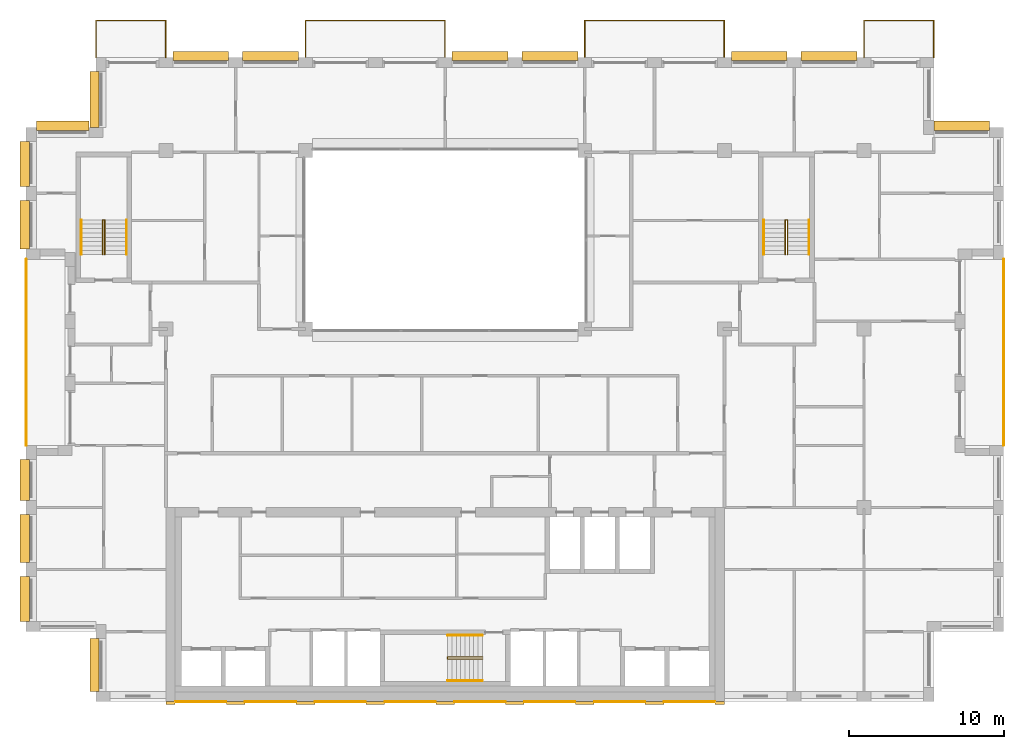
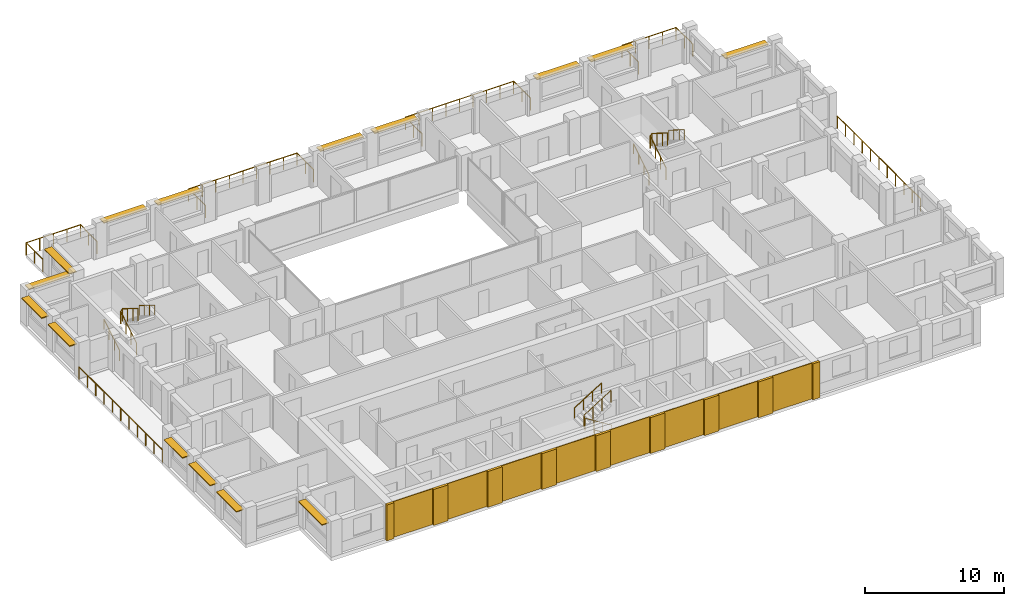
# One storey, part 15 of 15: 17 coverings, 15 railings, 15 shading devices.
"""IFC4 building model written with IfcOpenShell, lengths in metres."""

from ifc_helpers import new_model, si_unit, direction, frame, origin, origin_2d, place, context, subcontext, project, spatial, rectangle, circle, extrude, material, layer, layer_set, type_object, element, save


model = new_model("IFC4")

# Units and contexts
model_context = context("Model", 3, precision=1e-05, world=origin(), true_north=direction((0.0, 1.0)))
body_context = subcontext(model_context, "Body", "Model", "MODEL_VIEW")
ifc_project = project(units=[si_unit("LENGTHUNIT", "METRE"), si_unit("AREAUNIT", "SQUARE_METRE"), si_unit("VOLUMEUNIT", "CUBIC_METRE"), si_unit("PLANEANGLEUNIT", "RADIAN"), si_unit("MASSUNIT", "GRAM", prefix="KILO")], contexts=[model_context])

# Site, building, storey
site_placement = place(None, origin())
site = spatial("IfcSite", under=ifc_project, at=site_placement, CompositionType="ELEMENT")
building_placement = place(site_placement, origin())
building = spatial("IfcBuilding", under=site, at=building_placement, Name="Brigalow Station Residences", CompositionType="ELEMENT")
storey_placement = place(building_placement, frame((0.0, 0.0, 229.5)))
storey = spatial("IfcBuildingStorey", under=building, at=storey_placement, Name="L66", CompositionType="ELEMENT", Elevation=229.5)

# Railings
ifc_material_1 = material(Name="Stainless steel balustrade with laminated glass infill", Category="steel")
railing_type_1 = type_object("IfcRailingType", Name="BALCONY GUARD 1100", PredefinedType="GUARDRAIL", material=ifc_material_1)
railing_1_placement = place(storey_placement, frame((72.0, 16.5, -0.0400390625)))
element("IfcRailing", 1, at=railing_1_placement, inside=storey, type_object=railing_type_1, Name="L66/balcony-guard/1", PredefinedType="GUARDRAIL", context=body_context, shape_type="SweptSolid", body=[
    extrude(circle(Radius=0.02392578125, at=origin_2d()), frame((0.0, 0.0, 1.076171875), z_axis=(0.0, 1.0, 0.0), x_axis=(-1.0, 0.0, 0.0)), (0.0, 0.0, 1.0), 12.0),
    extrude(circle(Radius=0.02099609375, at=origin_2d()), origin(), (0.0, 0.0, 1.0), 1.052001953125),
    extrude(circle(Radius=0.02099609375, at=origin_2d()), frame((0.0, 1.199951171875, 0.0)), (0.0, 0.0, 1.0), 1.052001953125),
    extrude(circle(Radius=0.02099609375, at=origin_2d()), frame((0.0, 2.39990234375, 0.0)), (0.0, 0.0, 1.0), 1.052001953125),
    extrude(circle(Radius=0.02099609375, at=origin_2d()), frame((0.0, 3.60009765625, 0.0)), (0.0, 0.0, 1.0), 1.052001953125),
    extrude(circle(Radius=0.02099609375, at=origin_2d()), frame((0.0, 4.800048828125, 0.0)), (0.0, 0.0, 1.0), 1.052001953125),
    extrude(circle(Radius=0.02099609375, at=origin_2d()), frame((0.0, 6.0, 0.0)), (0.0, 0.0, 1.0), 1.052001953125),
    extrude(circle(Radius=0.02099609375, at=origin_2d()), frame((0.0, 7.199951171875, 0.0)), (0.0, 0.0, 1.0), 1.052001953125),
    extrude(circle(Radius=0.02099609375, at=origin_2d()), frame((0.0, 8.39990234375, 0.0)), (0.0, 0.0, 1.0), 1.052001953125),
    extrude(circle(Radius=0.02099609375, at=origin_2d()), frame((0.0, 9.60009765625, 0.0)), (0.0, 0.0, 1.0), 1.052001953125),
    extrude(circle(Radius=0.02099609375, at=origin_2d()), frame((0.0, 10.800048828125, 0.0)), (0.0, 0.0, 1.0), 1.052001953125),
    extrude(circle(Radius=0.02099609375, at=origin_2d()), frame((0.0, 12.0, 0.0)), (0.0, 0.0, 1.0), 1.052001953125),
])
railing_2_placement = place(storey_placement, frame((67.5, 41.5, -0.0400390625)))
element("IfcRailing", 2, at=railing_2_placement, inside=storey, type_object=railing_type_1, Name="L66/balcony-guard/2", PredefinedType="GUARDRAIL", context=body_context, shape_type="SweptSolid", body=[
    extrude(circle(Radius=0.02392578125, at=origin_2d()), frame((0.0, 0.0, 1.076171875), z_axis=(0.0, 1.0, 0.0), x_axis=(-1.0, 0.0, 0.0)), (0.0, 0.0, 1.0), 2.39990234375),
    extrude(circle(Radius=0.02392578125, at=origin_2d()), frame((0.0, 2.39990234375, 1.076171875), z_axis=(-1.0, 0.0, 0.0), x_axis=(0.0, -1.0, 0.0)), (0.0, 0.0, 1.0), 4.5),
    extrude(circle(Radius=0.02392578125, at=origin_2d()), frame((-4.5, 2.39990234375, 1.076171875), z_axis=(0.0, -1.0, 0.0), x_axis=(1.0, 0.0, 0.0)), (0.0, 0.0, 1.0), 2.39990234375),
    extrude(circle(Radius=0.02099609375, at=origin_2d()), origin(), (0.0, 0.0, 1.0), 1.052001953125),
    extrude(circle(Radius=0.02099609375, at=origin_2d()), frame((0.0, 1.199951171875, 0.0)), (0.0, 0.0, 1.0), 1.052001953125),
    extrude(circle(Radius=0.02099609375, at=origin_2d()), frame((0.0, 2.39990234375, 0.0)), (0.0, 0.0, 1.0), 1.052001953125),
    extrude(circle(Radius=0.02099609375, at=origin_2d()), frame((-1.125, 2.39990234375, 0.0)), (0.0, 0.0, 1.0), 1.052001953125),
    extrude(circle(Radius=0.02099609375, at=origin_2d()), frame((-2.25, 2.39990234375, 0.0)), (0.0, 0.0, 1.0), 1.052001953125),
    extrude(circle(Radius=0.02099609375, at=origin_2d()), frame((-3.375, 2.39990234375, 0.0)), (0.0, 0.0, 1.0), 1.052001953125),
    extrude(circle(Radius=0.02099609375, at=origin_2d()), frame((-4.5, 2.39990234375, 0.0)), (0.0, 0.0, 1.0), 1.052001953125),
    extrude(circle(Radius=0.02099609375, at=origin_2d()), frame((-4.5, 1.199951171875, 0.0)), (0.0, 0.0, 1.0), 1.052001953125),
    extrude(circle(Radius=0.02099609375, at=origin_2d()), frame((-4.5, 0.0, 0.0)), (0.0, 0.0, 1.0), 1.052001953125),
])
railing_3_placement = place(storey_placement, frame((54.0, 41.5, -0.0400390625)))
element("IfcRailing", 3, at=railing_3_placement, inside=storey, type_object=railing_type_1, Name="L66/balcony-guard/3", PredefinedType="GUARDRAIL", context=body_context, shape_type="SweptSolid", body=[
    extrude(circle(Radius=0.02392578125, at=origin_2d()), frame((0.0, 0.0, 1.076171875), z_axis=(0.0, 1.0, 0.0), x_axis=(-1.0, 0.0, 0.0)), (0.0, 0.0, 1.0), 2.39990234375),
    extrude(circle(Radius=0.02392578125, at=origin_2d()), frame((0.0, 2.39990234375, 1.076171875), z_axis=(-1.0, 0.0, 0.0), x_axis=(0.0, -1.0, 0.0)), (0.0, 0.0, 1.0), 9.0),
    extrude(circle(Radius=0.02392578125, at=origin_2d()), frame((-9.0, 2.39990234375, 1.076171875), z_axis=(0.0, -1.0, 0.0), x_axis=(1.0, 0.0, 0.0)), (0.0, 0.0, 1.0), 2.39990234375),
    extrude(circle(Radius=0.02099609375, at=origin_2d()), origin(), (0.0, 0.0, 1.0), 1.052001953125),
    extrude(circle(Radius=0.02099609375, at=origin_2d()), frame((0.0, 1.199951171875, 0.0)), (0.0, 0.0, 1.0), 1.052001953125),
    extrude(circle(Radius=0.02099609375, at=origin_2d()), frame((0.0, 2.39990234375, 0.0)), (0.0, 0.0, 1.0), 1.052001953125),
    extrude(circle(Radius=0.02099609375, at=origin_2d()), frame((-1.125, 2.39990234375, 0.0)), (0.0, 0.0, 1.0), 1.052001953125),
    extrude(circle(Radius=0.02099609375, at=origin_2d()), frame((-2.25, 2.39990234375, 0.0)), (0.0, 0.0, 1.0), 1.052001953125),
    extrude(circle(Radius=0.02099609375, at=origin_2d()), frame((-3.375, 2.39990234375, 0.0)), (0.0, 0.0, 1.0), 1.052001953125),
    extrude(circle(Radius=0.02099609375, at=origin_2d()), frame((-4.5, 2.39990234375, 0.0)), (0.0, 0.0, 1.0), 1.052001953125),
    extrude(circle(Radius=0.02099609375, at=origin_2d()), frame((-5.625, 2.39990234375, 0.0)), (0.0, 0.0, 1.0), 1.052001953125),
    extrude(circle(Radius=0.02099609375, at=origin_2d()), frame((-6.75, 2.39990234375, 0.0)), (0.0, 0.0, 1.0), 1.052001953125),
    extrude(circle(Radius=0.02099609375, at=origin_2d()), frame((-7.875, 2.39990234375, 0.0)), (0.0, 0.0, 1.0), 1.052001953125),
    extrude(circle(Radius=0.02099609375, at=origin_2d()), frame((-9.0, 2.39990234375, 0.0)), (0.0, 0.0, 1.0), 1.052001953125),
    extrude(circle(Radius=0.02099609375, at=origin_2d()), frame((-9.0, 1.199951171875, 0.0)), (0.0, 0.0, 1.0), 1.052001953125),
    extrude(circle(Radius=0.02099609375, at=origin_2d()), frame((-9.0, 0.0, 0.0)), (0.0, 0.0, 1.0), 1.052001953125),
])
railing_4_placement = place(storey_placement, frame((36.0, 41.5, -0.0400390625)))
element("IfcRailing", 4, at=railing_4_placement, inside=storey, type_object=railing_type_1, Name="L66/balcony-guard/4", PredefinedType="GUARDRAIL", context=body_context, shape_type="SweptSolid", body=[
    extrude(circle(Radius=0.02392578125, at=origin_2d()), frame((0.0, 0.0, 1.076171875), z_axis=(0.0, 1.0, 0.0), x_axis=(-1.0, 0.0, 0.0)), (0.0, 0.0, 1.0), 2.39990234375),
    extrude(circle(Radius=0.02392578125, at=origin_2d()), frame((0.0, 2.39990234375, 1.076171875), z_axis=(-1.0, 0.0, 0.0), x_axis=(0.0, -1.0, 0.0)), (0.0, 0.0, 1.0), 9.0),
    extrude(circle(Radius=0.02392578125, at=origin_2d()), frame((-9.0, 2.39990234375, 1.076171875), z_axis=(0.0, -1.0, 0.0), x_axis=(1.0, 0.0, 0.0)), (0.0, 0.0, 1.0), 2.39990234375),
    extrude(circle(Radius=0.02099609375, at=origin_2d()), origin(), (0.0, 0.0, 1.0), 1.052001953125),
    extrude(circle(Radius=0.02099609375, at=origin_2d()), frame((0.0, 1.199951171875, 0.0)), (0.0, 0.0, 1.0), 1.052001953125),
    extrude(circle(Radius=0.02099609375, at=origin_2d()), frame((0.0, 2.39990234375, 0.0)), (0.0, 0.0, 1.0), 1.052001953125),
    extrude(circle(Radius=0.02099609375, at=origin_2d()), frame((-1.125, 2.39990234375, 0.0)), (0.0, 0.0, 1.0), 1.052001953125),
    extrude(circle(Radius=0.02099609375, at=origin_2d()), frame((-2.25, 2.39990234375, 0.0)), (0.0, 0.0, 1.0), 1.052001953125),
    extrude(circle(Radius=0.02099609375, at=origin_2d()), frame((-3.375, 2.39990234375, 0.0)), (0.0, 0.0, 1.0), 1.052001953125),
    extrude(circle(Radius=0.02099609375, at=origin_2d()), frame((-4.5, 2.39990234375, 0.0)), (0.0, 0.0, 1.0), 1.052001953125),
    extrude(circle(Radius=0.02099609375, at=origin_2d()), frame((-5.625, 2.39990234375, 0.0)), (0.0, 0.0, 1.0), 1.052001953125),
    extrude(circle(Radius=0.02099609375, at=origin_2d()), frame((-6.75, 2.39990234375, 0.0)), (0.0, 0.0, 1.0), 1.052001953125),
    extrude(circle(Radius=0.02099609375, at=origin_2d()), frame((-7.875, 2.39990234375, 0.0)), (0.0, 0.0, 1.0), 1.052001953125),
    extrude(circle(Radius=0.02099609375, at=origin_2d()), frame((-9.0, 2.39990234375, 0.0)), (0.0, 0.0, 1.0), 1.052001953125),
    extrude(circle(Radius=0.02099609375, at=origin_2d()), frame((-9.0, 1.199951171875, 0.0)), (0.0, 0.0, 1.0), 1.052001953125),
    extrude(circle(Radius=0.02099609375, at=origin_2d()), frame((-9.0, 0.0, 0.0)), (0.0, 0.0, 1.0), 1.052001953125),
])
railing_5_placement = place(storey_placement, frame((18.0, 41.5, -0.0400390625)))
element("IfcRailing", 5, at=railing_5_placement, inside=storey, type_object=railing_type_1, Name="L66/balcony-guard/5", PredefinedType="GUARDRAIL", context=body_context, shape_type="SweptSolid", body=[
    extrude(circle(Radius=0.02392578125, at=origin_2d()), frame((0.0, 0.0, 1.076171875), z_axis=(0.0, 1.0, 0.0), x_axis=(-1.0, 0.0, 0.0)), (0.0, 0.0, 1.0), 2.39990234375),
    extrude(circle(Radius=0.02392578125, at=origin_2d()), frame((0.0, 2.39990234375, 1.076171875), z_axis=(-1.0, 0.0, 0.0), x_axis=(0.0, -1.0, 0.0)), (0.0, 0.0, 1.0), 4.5),
    extrude(circle(Radius=0.02392578125, at=origin_2d()), frame((-4.5, 2.39990234375, 1.076171875), z_axis=(0.0, -1.0, 0.0), x_axis=(1.0, 0.0, 0.0)), (0.0, 0.0, 1.0), 2.39990234375),
    extrude(circle(Radius=0.02099609375, at=origin_2d()), origin(), (0.0, 0.0, 1.0), 1.052001953125),
    extrude(circle(Radius=0.02099609375, at=origin_2d()), frame((0.0, 1.199951171875, 0.0)), (0.0, 0.0, 1.0), 1.052001953125),
    extrude(circle(Radius=0.02099609375, at=origin_2d()), frame((0.0, 2.39990234375, 0.0)), (0.0, 0.0, 1.0), 1.052001953125),
    extrude(circle(Radius=0.02099609375, at=origin_2d()), frame((-1.125, 2.39990234375, 0.0)), (0.0, 0.0, 1.0), 1.052001953125),
    extrude(circle(Radius=0.02099609375, at=origin_2d()), frame((-2.25, 2.39990234375, 0.0)), (0.0, 0.0, 1.0), 1.052001953125),
    extrude(circle(Radius=0.02099609375, at=origin_2d()), frame((-3.375, 2.39990234375, 0.0)), (0.0, 0.0, 1.0), 1.052001953125),
    extrude(circle(Radius=0.02099609375, at=origin_2d()), frame((-4.5, 2.39990234375, 0.0)), (0.0, 0.0, 1.0), 1.052001953125),
    extrude(circle(Radius=0.02099609375, at=origin_2d()), frame((-4.5, 1.199951171875, 0.0)), (0.0, 0.0, 1.0), 1.052001953125),
    extrude(circle(Radius=0.02099609375, at=origin_2d()), frame((-4.5, 0.0, 0.0)), (0.0, 0.0, 1.0), 1.052001953125),
])
railing_6_placement = place(storey_placement, frame((9.0, 28.5, -0.0400390625)))
element("IfcRailing", 6, at=railing_6_placement, inside=storey, type_object=railing_type_1, Name="L66/balcony-guard/6", PredefinedType="GUARDRAIL", context=body_context, shape_type="SweptSolid", body=[
    extrude(circle(Radius=0.02392578125, at=origin_2d()), frame((0.0, 0.0, 1.076171875), z_axis=(0.0, -1.0, 0.0), x_axis=(1.0, 0.0, 0.0)), (0.0, 0.0, 1.0), 12.0),
    extrude(circle(Radius=0.02099609375, at=origin_2d()), origin(), (0.0, 0.0, 1.0), 1.052001953125),
    extrude(circle(Radius=0.02099609375, at=origin_2d()), frame((0.0, -1.199951171875, 0.0)), (0.0, 0.0, 1.0), 1.052001953125),
    extrude(circle(Radius=0.02099609375, at=origin_2d()), frame((0.0, -2.39990234375, 0.0)), (0.0, 0.0, 1.0), 1.052001953125),
    extrude(circle(Radius=0.02099609375, at=origin_2d()), frame((0.0, -3.60009765625, 0.0)), (0.0, 0.0, 1.0), 1.052001953125),
    extrude(circle(Radius=0.02099609375, at=origin_2d()), frame((0.0, -4.800048828125, 0.0)), (0.0, 0.0, 1.0), 1.052001953125),
    extrude(circle(Radius=0.02099609375, at=origin_2d()), frame((0.0, -6.0, 0.0)), (0.0, 0.0, 1.0), 1.052001953125),
    extrude(circle(Radius=0.02099609375, at=origin_2d()), frame((0.0, -7.199951171875, 0.0)), (0.0, 0.0, 1.0), 1.052001953125),
    extrude(circle(Radius=0.02099609375, at=origin_2d()), frame((0.0, -8.39990234375, 0.0)), (0.0, 0.0, 1.0), 1.052001953125),
    extrude(circle(Radius=0.02099609375, at=origin_2d()), frame((0.0, -9.60009765625, 0.0)), (0.0, 0.0, 1.0), 1.052001953125),
    extrude(circle(Radius=0.02099609375, at=origin_2d()), frame((0.0, -10.800048828125, 0.0)), (0.0, 0.0, 1.0), 1.052001953125),
    extrude(circle(Radius=0.02099609375, at=origin_2d()), frame((0.0, -12.0, 0.0)), (0.0, 0.0, 1.0), 1.052001953125),
])

# Coverings
ifc_material_2 = material(Name="Clay brick masonry", Category="masonry")
ifc_layer_1 = layer(ifc_material_2, 0.06005859375)
ifc_layer_set_1 = layer_set([ifc_layer_1], Name="BRICK PANEL FACING 60")
covering_type_1 = type_object("IfcCoveringType", Name="BRICK PANEL FACING 60", PredefinedType="CLADDING", material=ifc_layer_set_1)
for number, where, z_axis, x_axis, name in (
    (7, (20.25, -0.030029296875, 0.0), (0.0, 0.0, 1.0), (1.0, 0.0, 0.0), "L66/rear-facing/panel-1"),
    (8, (24.75, -0.030029296875, 0.0), (0.0, 0.0, 1.0), (1.0, 0.0, 0.0), "L66/rear-facing/panel-2"),
    (9, (29.25, -0.030029296875, 0.0), (0.0, 0.0, 1.0), (1.0, 0.0, 0.0), "L66/rear-facing/panel-3"),
    (10, (33.75, -0.030029296875, 0.0), (0.0, 0.0, 1.0), (1.0, 0.0, 0.0), "L66/rear-facing/panel-4"),
    (11, (38.25, -0.030029296875, 0.0), (0.0, 0.0, 1.0), (1.0, 0.0, 0.0), "L66/rear-facing/panel-5"),
    (12, (42.75, -0.030029296875, 0.0), (0.0, 0.0, 1.0), (1.0, 0.0, 0.0), "L66/rear-facing/panel-6"),
    (13, (47.25, -0.030029296875, 0.0), (0.0, 0.0, 1.0), (1.0, 0.0, 0.0), "L66/rear-facing/panel-7"),
    (14, (51.75, -0.030029296875, 0.0), (0.0, 0.0, 1.0), (1.0, 0.0, 0.0), "L66/rear-facing/panel-8"),
):
    element("IfcCovering", number, at=place(storey_placement, frame(where, z_axis=z_axis, x_axis=x_axis)), inside=storey, type_object=covering_type_1, Name=name, PredefinedType="CLADDING", context=body_context, shape_type="SweptSolid", body=[
        extrude(rectangle(XDim=3.300048828125, YDim=0.06005859375, at=origin_2d()), origin(), (0.0, 0.0, 1.0), 3.14990234375),
    ])
ifc_material_3 = material(Name="Clay brick masonry", Category="masonry")
ifc_layer_2 = layer(ifc_material_3, 0.199951171875)
ifc_layer_set_2 = layer_set([ifc_layer_2], Name="BRICK PIER FACING 200")
covering_type_2 = type_object("IfcCoveringType", Name="BRICK PIER FACING 200", PredefinedType="CLADDING", material=ifc_layer_set_2)
covering_1_placement = place(storey_placement, frame((18.300048828125, -0.10009765625, 0.0), z_axis=(0.0, 0.0, 1.0), x_axis=(1.0, 0.0, 0.0)))
element("IfcCovering", 15, at=covering_1_placement, inside=storey, type_object=covering_type_2, Name="L66/rear-facing/pier-1", PredefinedType="CLADDING", context=body_context, shape_type="SweptSolid", body=[
    extrude(rectangle(XDim=0.60009765625, YDim=0.199951171875, at=origin_2d()), origin(), (0.0, 0.0, 1.0), 3.14990234375),
])
for number, where, z_axis, x_axis, name in (
    (16, (22.5, -0.10009765625, 0.0), (0.0, 0.0, 1.0), (1.0, 0.0, 0.0), "L66/rear-facing/pier-2"),
    (17, (27.0, -0.10009765625, 0.0), (0.0, 0.0, 1.0), (1.0, 0.0, 0.0), "L66/rear-facing/pier-3"),
    (18, (31.5, -0.10009765625, 0.0), (0.0, 0.0, 1.0), (1.0, 0.0, 0.0), "L66/rear-facing/pier-4"),
    (19, (36.0, -0.10009765625, 0.0), (0.0, 0.0, 1.0), (1.0, 0.0, 0.0), "L66/rear-facing/pier-5"),
    (20, (40.5, -0.10009765625, 0.0), (0.0, 0.0, 1.0), (1.0, 0.0, 0.0), "L66/rear-facing/pier-6"),
    (21, (45.0, -0.10009765625, 0.0), (0.0, 0.0, 1.0), (1.0, 0.0, 0.0), "L66/rear-facing/pier-7"),
    (22, (49.5, -0.10009765625, 0.0), (0.0, 0.0, 1.0), (1.0, 0.0, 0.0), "L66/rear-facing/pier-8"),
):
    element("IfcCovering", number, at=place(storey_placement, frame(where, z_axis=z_axis, x_axis=x_axis)), inside=storey, type_object=covering_type_2, Name=name, PredefinedType="CLADDING", context=body_context, shape_type="SweptSolid", body=[
        extrude(rectangle(XDim=1.199951171875, YDim=0.199951171875, at=origin_2d()), origin(), (0.0, 0.0, 1.0), 3.14990234375),
    ])
covering_2_placement = place(storey_placement, frame((53.699951171875, -0.10009765625, 0.0), z_axis=(0.0, 0.0, 1.0), x_axis=(1.0, 0.0, 0.0)))
element("IfcCovering", 23, at=covering_2_placement, inside=storey, type_object=covering_type_2, Name="L66/rear-facing/pier-9", PredefinedType="CLADDING", context=body_context, shape_type="SweptSolid", body=[
    extrude(rectangle(XDim=0.60009765625, YDim=0.199951171875, at=origin_2d()), origin(), (0.0, 0.0, 1.0), 3.14990234375),
])

# Railings
ifc_material_4 = material(Name="Stainless steel balustrade", Category="steel")
railing_type_2 = type_object("IfcRailingType", Name="STAIR GUARD 1100", PredefinedType="GUARDRAIL", material=ifc_material_4)
railing_7_placement = place(storey_placement, frame((38.39990234375, 2.72998046875, 0.175048828125)))
element("IfcRailing", 24, at=railing_7_placement, inside=storey, type_object=railing_type_2, Name="GUARD GR-2", PredefinedType="GUARDRAIL", context=body_context, shape_type="SweptSolid", body=[
    extrude(circle(Radius=0.02392578125, at=origin_2d()), frame((0.0, 0.0, 1.076171875), z_axis=(-0.848013881152, 0.0, 0.529974015752), x_axis=(0.0, -1.0, 0.0)), (0.0, 0.0, 1.0), 2.641357421875),
    extrude(circle(Radius=0.02392578125, at=origin_2d()), frame((-2.239990234375, 0.0, 2.47607421875), z_axis=(0.0, 0.624960567888, 0.780656319122), x_axis=(-1.0, 0.0, 0.0)), (0.0, 0.0, 1.0), 0.22412109375),
    extrude(circle(Radius=0.02392578125, at=origin_2d()), frame((-2.239990234375, 0.14013671875, 2.65087890625), z_axis=(0.848013881152, 0.0, 0.529974015752), x_axis=(0.0, 1.0, 0.0)), (0.0, 0.0, 1.0), 2.641357421875),
    extrude(circle(Radius=0.02099609375, at=origin_2d()), origin(), (0.0, 0.0, 1.0), 1.052001953125),
    extrude(circle(Radius=0.02099609375, at=origin_2d()), frame((-0.74658203125, 0.0, 0.466552734375)), (0.0, 0.0, 1.0), 1.052001953125),
    extrude(circle(Radius=0.02099609375, at=origin_2d()), frame((-1.493408203125, 0.0, 0.933349609375)), (0.0, 0.0, 1.0), 1.052001953125),
    extrude(circle(Radius=0.02099609375, at=origin_2d()), frame((-2.239990234375, 0.0, 1.39990234375)), (0.0, 0.0, 1.0), 1.052001953125),
    extrude(circle(Radius=0.02099609375, at=origin_2d()), frame((-2.239990234375, 0.14013671875, 1.574951171875)), (0.0, 0.0, 1.0), 1.052001953125),
    extrude(circle(Radius=0.02099609375, at=origin_2d()), frame((-1.493408203125, 0.14013671875, 2.04150390625)), (0.0, 0.0, 1.0), 1.052001953125),
    extrude(circle(Radius=0.02099609375, at=origin_2d()), frame((-0.74658203125, 0.14013671875, 2.50830078125)), (0.0, 0.0, 1.0), 1.052001953125),
    extrude(circle(Radius=0.02099609375, at=origin_2d()), frame((0.0, 0.14013671875, 2.974853515625)), (0.0, 0.0, 1.0), 1.052001953125),
])
for number, where, name in (
    (25, (13.929931640625, 28.800048828125, 0.175048828125), "GUARD GR-1"),
    (26, (57.929931640625, 28.800048828125, 0.175048828125), "GUARD GR-3"),
):
    element("IfcRailing", number, at=place(storey_placement, frame(where)), inside=storey, type_object=railing_type_2, Name=name, PredefinedType="GUARDRAIL", context=body_context, shape_type="SweptSolid", body=[
        extrude(circle(Radius=0.02392578125, at=origin_2d()), frame((0.0, 0.0, 1.076171875), z_axis=(0.0, 0.848013881152, 0.529974015752), x_axis=(-1.0, 0.0, 0.0)), (0.0, 0.0, 1.0), 2.641357421875),
        extrude(circle(Radius=0.02392578125, at=origin_2d()), frame((0.0, 2.239990234375, 2.47607421875), z_axis=(0.624960567888, 0.0, 0.780656319122), x_axis=(0.0, 1.0, 0.0)), (0.0, 0.0, 1.0), 0.22412109375),
        extrude(circle(Radius=0.02392578125, at=origin_2d()), frame((0.14013671875, 2.239990234375, 2.65087890625), z_axis=(0.0, -0.848013881152, 0.529974015752), x_axis=(1.0, 0.0, 0.0)), (0.0, 0.0, 1.0), 2.641357421875),
        extrude(circle(Radius=0.02099609375, at=origin_2d()), origin(), (0.0, 0.0, 1.0), 1.052001953125),
        extrude(circle(Radius=0.02099609375, at=origin_2d()), frame((0.0, 0.74658203125, 0.466552734375)), (0.0, 0.0, 1.0), 1.052001953125),
        extrude(circle(Radius=0.02099609375, at=origin_2d()), frame((0.0, 1.493408203125, 0.933349609375)), (0.0, 0.0, 1.0), 1.052001953125),
        extrude(circle(Radius=0.02099609375, at=origin_2d()), frame((0.0, 2.239990234375, 1.39990234375)), (0.0, 0.0, 1.0), 1.052001953125),
        extrude(circle(Radius=0.02099609375, at=origin_2d()), frame((0.14013671875, 2.239990234375, 1.574951171875)), (0.0, 0.0, 1.0), 1.052001953125),
        extrude(circle(Radius=0.02099609375, at=origin_2d()), frame((0.14013671875, 1.493408203125, 2.04150390625)), (0.0, 0.0, 1.0), 1.052001953125),
        extrude(circle(Radius=0.02099609375, at=origin_2d()), frame((0.14013671875, 0.74658203125, 2.50830078125)), (0.0, 0.0, 1.0), 1.052001953125),
        extrude(circle(Radius=0.02099609375, at=origin_2d()), frame((0.14013671875, 0.0, 2.974853515625)), (0.0, 0.0, 1.0), 1.052001953125),
    ])
ifc_material_5 = material(Name="Stainless steel handrail", Category="steel")
railing_type_3 = type_object("IfcRailingType", Name="STAIR HANDRAIL 900", PredefinedType="HANDRAIL", material=ifc_material_5)
railing_8_placement = place(storey_placement, frame((38.39990234375, 1.340087890625, 0.175048828125)))
element("IfcRailing", 27, at=railing_8_placement, inside=storey, type_object=railing_type_3, Name="HANDRAIL HR-21", PredefinedType="HANDRAIL", context=body_context, shape_type="SweptSolid", body=[
    extrude(circle(Radius=0.02392578125, at=origin_2d()), frame((0.0, 0.0, 0.8759765625), z_axis=(-0.848013881152, 0.0, 0.529974015752), x_axis=(0.0, -1.0, 0.0)), (0.0, 0.0, 1.0), 2.641357421875),
    extrude(circle(Radius=0.02099609375, at=origin_2d()), origin(), (0.0, 0.0, 1.0), 0.851806640625),
    extrude(circle(Radius=0.02099609375, at=origin_2d()), frame((-0.74658203125, 0.0, 0.466552734375)), (0.0, 0.0, 1.0), 0.851806640625),
    extrude(circle(Radius=0.02099609375, at=origin_2d()), frame((-1.493408203125, 0.0, 0.933349609375)), (0.0, 0.0, 1.0), 0.851806640625),
    extrude(circle(Radius=0.02099609375, at=origin_2d()), frame((-2.239990234375, 0.0, 1.39990234375)), (0.0, 0.0, 1.0), 0.851806640625),
])
railing_9_placement = place(storey_placement, frame((36.159912109375, 4.260009765625, 1.75)))
element("IfcRailing", 28, at=railing_9_placement, inside=storey, type_object=railing_type_3, Name="HANDRAIL HR-22", PredefinedType="HANDRAIL", context=body_context, shape_type="SweptSolid", body=[
    extrude(circle(Radius=0.02392578125, at=origin_2d()), frame((0.0, 0.0, 0.8759765625), z_axis=(0.848013881152, 0.0, 0.529974015752), x_axis=(0.0, 1.0, 0.0)), (0.0, 0.0, 1.0), 2.641357421875),
    extrude(circle(Radius=0.02099609375, at=origin_2d()), origin(), (0.0, 0.0, 1.0), 0.851806640625),
    extrude(circle(Radius=0.02099609375, at=origin_2d()), frame((0.74658203125, 0.0, 0.466552734375)), (0.0, 0.0, 1.0), 0.851806640625),
    extrude(circle(Radius=0.02099609375, at=origin_2d()), frame((1.493408203125, 0.0, 0.933349609375)), (0.0, 0.0, 1.0), 0.851806640625),
    extrude(circle(Radius=0.02099609375, at=origin_2d()), frame((2.239990234375, 0.0, 1.39990234375)), (0.0, 0.0, 1.0), 0.851806640625),
])
railing_10_placement = place(storey_placement, frame((12.5400390625, 28.800048828125, 0.175048828125)))
element("IfcRailing", 29, at=railing_10_placement, inside=storey, type_object=railing_type_3, Name="HANDRAIL HR-11", PredefinedType="HANDRAIL", context=body_context, shape_type="SweptSolid", body=[
    extrude(circle(Radius=0.02392578125, at=origin_2d()), frame((0.0, 0.0, 0.8759765625), z_axis=(0.0, 0.848013881152, 0.529974015752), x_axis=(-1.0, 0.0, 0.0)), (0.0, 0.0, 1.0), 2.641357421875),
    extrude(circle(Radius=0.02099609375, at=origin_2d()), origin(), (0.0, 0.0, 1.0), 0.851806640625),
    extrude(circle(Radius=0.02099609375, at=origin_2d()), frame((0.0, 0.74658203125, 0.466552734375)), (0.0, 0.0, 1.0), 0.851806640625),
    extrude(circle(Radius=0.02099609375, at=origin_2d()), frame((0.0, 1.493408203125, 0.933349609375)), (0.0, 0.0, 1.0), 0.851806640625),
    extrude(circle(Radius=0.02099609375, at=origin_2d()), frame((0.0, 2.239990234375, 1.39990234375)), (0.0, 0.0, 1.0), 0.851806640625),
])
railing_11_placement = place(storey_placement, frame((15.4599609375, 31.0400390625, 1.75)))
element("IfcRailing", 30, at=railing_11_placement, inside=storey, type_object=railing_type_3, Name="HANDRAIL HR-12", PredefinedType="HANDRAIL", context=body_context, shape_type="SweptSolid", body=[
    extrude(circle(Radius=0.02392578125, at=origin_2d()), frame((0.0, 0.0, 0.8759765625), z_axis=(0.0, -0.848013881152, 0.529974015752), x_axis=(1.0, 0.0, 0.0)), (0.0, 0.0, 1.0), 2.641357421875),
    extrude(circle(Radius=0.02099609375, at=origin_2d()), origin(), (0.0, 0.0, 1.0), 0.851806640625),
    extrude(circle(Radius=0.02099609375, at=origin_2d()), frame((0.0, -0.74658203125, 0.466552734375)), (0.0, 0.0, 1.0), 0.851806640625),
    extrude(circle(Radius=0.02099609375, at=origin_2d()), frame((0.0, -1.493408203125, 0.933349609375)), (0.0, 0.0, 1.0), 0.851806640625),
    extrude(circle(Radius=0.02099609375, at=origin_2d()), frame((0.0, -2.239990234375, 1.39990234375)), (0.0, 0.0, 1.0), 0.851806640625),
])
railing_12_placement = place(storey_placement, frame((56.5400390625, 28.800048828125, 0.175048828125)))
element("IfcRailing", 31, at=railing_12_placement, inside=storey, type_object=railing_type_3, Name="HANDRAIL HR-31", PredefinedType="HANDRAIL", context=body_context, shape_type="SweptSolid", body=[
    extrude(circle(Radius=0.02392578125, at=origin_2d()), frame((0.0, 0.0, 0.8759765625), z_axis=(0.0, 0.848013881152, 0.529974015752), x_axis=(-1.0, 0.0, 0.0)), (0.0, 0.0, 1.0), 2.641357421875),
    extrude(circle(Radius=0.02099609375, at=origin_2d()), origin(), (0.0, 0.0, 1.0), 0.851806640625),
    extrude(circle(Radius=0.02099609375, at=origin_2d()), frame((0.0, 0.74658203125, 0.466552734375)), (0.0, 0.0, 1.0), 0.851806640625),
    extrude(circle(Radius=0.02099609375, at=origin_2d()), frame((0.0, 1.493408203125, 0.933349609375)), (0.0, 0.0, 1.0), 0.851806640625),
    extrude(circle(Radius=0.02099609375, at=origin_2d()), frame((0.0, 2.239990234375, 1.39990234375)), (0.0, 0.0, 1.0), 0.851806640625),
])
railing_13_placement = place(storey_placement, frame((59.4599609375, 31.0400390625, 1.75)))
element("IfcRailing", 32, at=railing_13_placement, inside=storey, type_object=railing_type_3, Name="HANDRAIL HR-32", PredefinedType="HANDRAIL", context=body_context, shape_type="SweptSolid", body=[
    extrude(circle(Radius=0.02392578125, at=origin_2d()), frame((0.0, 0.0, 0.8759765625), z_axis=(0.0, -0.848013881152, 0.529974015752), x_axis=(1.0, 0.0, 0.0)), (0.0, 0.0, 1.0), 2.641357421875),
    extrude(circle(Radius=0.02099609375, at=origin_2d()), origin(), (0.0, 0.0, 1.0), 0.851806640625),
    extrude(circle(Radius=0.02099609375, at=origin_2d()), frame((0.0, -0.74658203125, 0.466552734375)), (0.0, 0.0, 1.0), 0.851806640625),
    extrude(circle(Radius=0.02099609375, at=origin_2d()), frame((0.0, -1.493408203125, 0.933349609375)), (0.0, 0.0, 1.0), 0.851806640625),
    extrude(circle(Radius=0.02099609375, at=origin_2d()), frame((0.0, -2.239990234375, 1.39990234375)), (0.0, 0.0, 1.0), 0.851806640625),
])

# Shading devices
ifc_material_6 = material(Name="Powder-coated extruded aluminium blade", Category="aluminium")
ifc_layer_3 = layer(ifc_material_6, 0.080078125)
ifc_layer_set_3 = layer_set([ifc_layer_3], Name="SUNSHADE BLADE 600x80")
shading_device_type = type_object("IfcShadingDeviceType", Name="SUNSHADE BLADE 600x80", PredefinedType="JALOUSIE", material=ifc_layer_set_3)
for number, where, z_axis, x_axis, name in (
    (33, (69.300048828125, 37.10009765625, 2.550048828125), (0.0, 0.0, 1.0), (-1.0, 0.0, 0.0), "L66/blade/W-L66-18"),
    (34, (60.75, 41.60009765625, 2.550048828125), (0.0, 0.0, 1.0), (-1.0, 0.0, 0.0), "L66/blade/W-L66-21"),
    (35, (56.25, 41.60009765625, 2.550048828125), (0.0, 0.0, 1.0), (-1.0, 0.0, 0.0), "L66/blade/W-L66-22"),
    (36, (42.75, 41.60009765625, 2.550048828125), (0.0, 0.0, 1.0), (-1.0, 0.0, 0.0), "L66/blade/W-L66-25"),
    (37, (38.25, 41.60009765625, 2.550048828125), (0.0, 0.0, 1.0), (-1.0, 0.0, 0.0), "L66/blade/W-L66-26"),
    (38, (24.75, 41.60009765625, 2.550048828125), (0.0, 0.0, 1.0), (-1.0, 0.0, 0.0), "L66/blade/W-L66-29"),
    (39, (20.25, 41.60009765625, 2.550048828125), (0.0, 0.0, 1.0), (-1.0, 0.0, 0.0), "L66/blade/W-L66-30"),
    (40, (13.39990234375, 38.800048828125, 2.550048828125), (0.0, 0.0, 1.0), (0.0, -1.0, 0.0), "L66/blade/W-L66-32"),
):
    element("IfcShadingDevice", number, at=place(storey_placement, frame(where, z_axis=z_axis, x_axis=x_axis)), inside=storey, type_object=shading_device_type, Name=name, PredefinedType="JALOUSIE", context=body_context, shape_type="SweptSolid", body=[
        extrude(rectangle(XDim=3.60009765625, YDim=0.60009765625, at=origin_2d()), origin(), (0.0, 0.0, 1.0), 0.080078125),
    ])
shading_device_1_placement = place(storey_placement, frame((11.35009765625, 37.10009765625, 2.550048828125), z_axis=(0.0, 0.0, 1.0), x_axis=(-1.0, 0.0, 0.0)))
element("IfcShadingDevice", 41, at=shading_device_1_placement, inside=storey, type_object=shading_device_type, Name="L66/blade/W-L66-33", PredefinedType="JALOUSIE", context=body_context, shape_type="SweptSolid", body=[
    extrude(rectangle(XDim=3.39990234375, YDim=0.60009765625, at=origin_2d()), origin(), (0.0, 0.0, 1.0), 0.080078125),
])
shading_device_2_placement = place(storey_placement, frame((8.89990234375, 34.64990234375, 2.550048828125), z_axis=(0.0, 0.0, 1.0), x_axis=(0.0, -1.0, 0.0)))
element("IfcShadingDevice", 42, at=shading_device_2_placement, inside=storey, type_object=shading_device_type, Name="L66/blade/W-L66-34", PredefinedType="JALOUSIE", context=body_context, shape_type="SweptSolid", body=[
    extrude(rectangle(XDim=2.89990234375, YDim=0.60009765625, at=origin_2d()), origin(), (0.0, 0.0, 1.0), 0.080078125),
])
shading_device_3_placement = place(storey_placement, frame((8.89990234375, 30.72509765625, 2.550048828125), z_axis=(0.0, 0.0, 1.0), x_axis=(0.0, -1.0, 0.0)))
element("IfcShadingDevice", 43, at=shading_device_3_placement, inside=storey, type_object=shading_device_type, Name="L66/blade/W-L66-35", PredefinedType="JALOUSIE", context=body_context, shape_type="SweptSolid", body=[
    extrude(rectangle(XDim=3.14990234375, YDim=0.60009765625, at=origin_2d()), origin(), (0.0, 0.0, 1.0), 0.080078125),
])
shading_device_4_placement = place(storey_placement, frame((8.89990234375, 14.27490234375, 2.550048828125), z_axis=(0.0, 0.0, 1.0), x_axis=(0.0, -1.0, 0.0)))
element("IfcShadingDevice", 44, at=shading_device_4_placement, inside=storey, type_object=shading_device_type, Name="L66/blade/W-L66-41", PredefinedType="JALOUSIE", context=body_context, shape_type="SweptSolid", body=[
    extrude(rectangle(XDim=2.64990234375, YDim=0.60009765625, at=origin_2d()), origin(), (0.0, 0.0, 1.0), 0.080078125),
])
shading_device_5_placement = place(storey_placement, frame((8.89990234375, 10.5, 2.550048828125), z_axis=(0.0, 0.0, 1.0), x_axis=(0.0, -1.0, 0.0)))
element("IfcShadingDevice", 45, at=shading_device_5_placement, inside=storey, type_object=shading_device_type, Name="L66/blade/W-L66-42", PredefinedType="JALOUSIE", context=body_context, shape_type="SweptSolid", body=[
    extrude(rectangle(XDim=3.10009765625, YDim=0.60009765625, at=origin_2d()), origin(), (0.0, 0.0, 1.0), 0.080078125),
])
shading_device_6_placement = place(storey_placement, frame((8.89990234375, 6.60009765625, 2.550048828125), z_axis=(0.0, 0.0, 1.0), x_axis=(0.0, -1.0, 0.0)))
element("IfcShadingDevice", 46, at=shading_device_6_placement, inside=storey, type_object=shading_device_type, Name="L66/blade/W-L66-43", PredefinedType="JALOUSIE", context=body_context, shape_type="SweptSolid", body=[
    extrude(rectangle(XDim=2.89990234375, YDim=0.60009765625, at=origin_2d()), origin(), (0.0, 0.0, 1.0), 0.080078125),
])
shading_device_7_placement = place(storey_placement, frame((13.39990234375, 2.35009765625, 2.550048828125), z_axis=(0.0, 0.0, 1.0), x_axis=(0.0, -1.0, 0.0)))
element("IfcShadingDevice", 47, at=shading_device_7_placement, inside=storey, type_object=shading_device_type, Name="L66/blade/W-L66-45", PredefinedType="JALOUSIE", context=body_context, shape_type="SweptSolid", body=[
    extrude(rectangle(XDim=3.39990234375, YDim=0.60009765625, at=origin_2d()), origin(), (0.0, 0.0, 1.0), 0.080078125),
])

save(model, "model.ifc")
